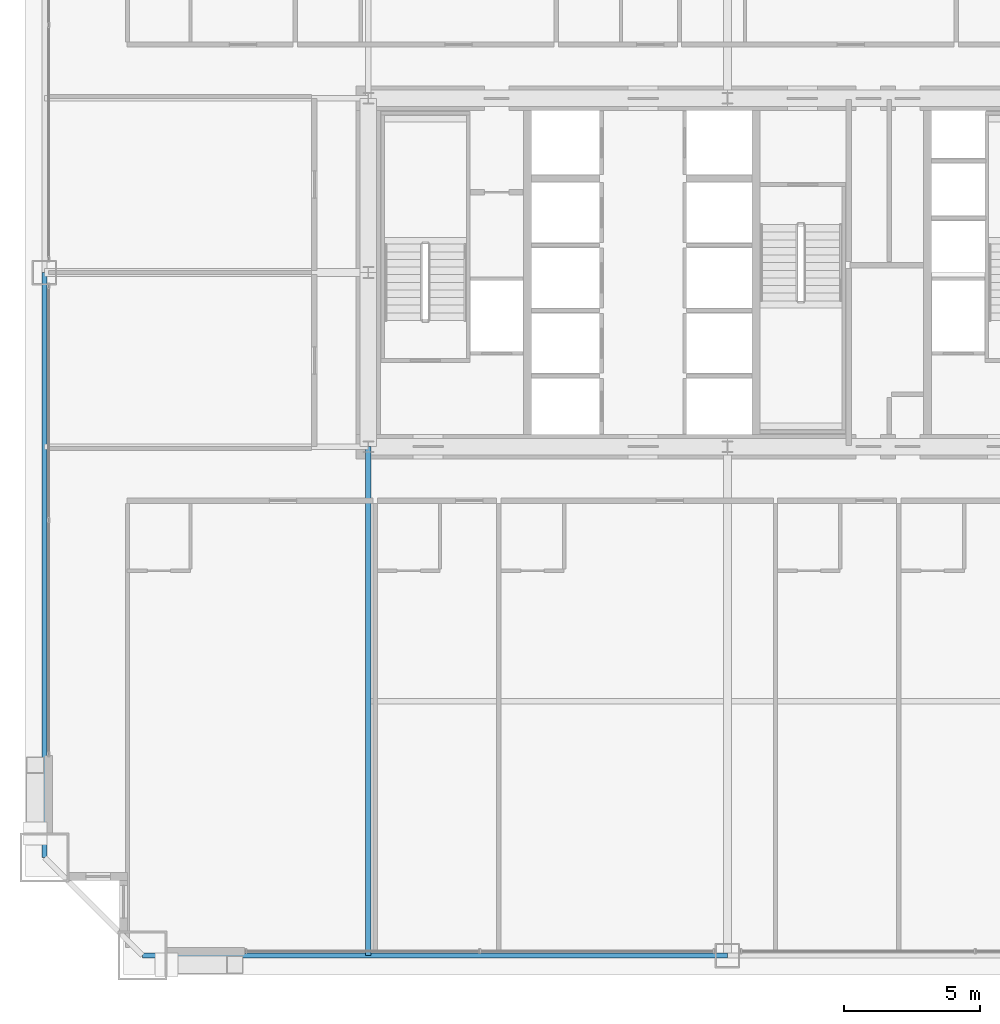
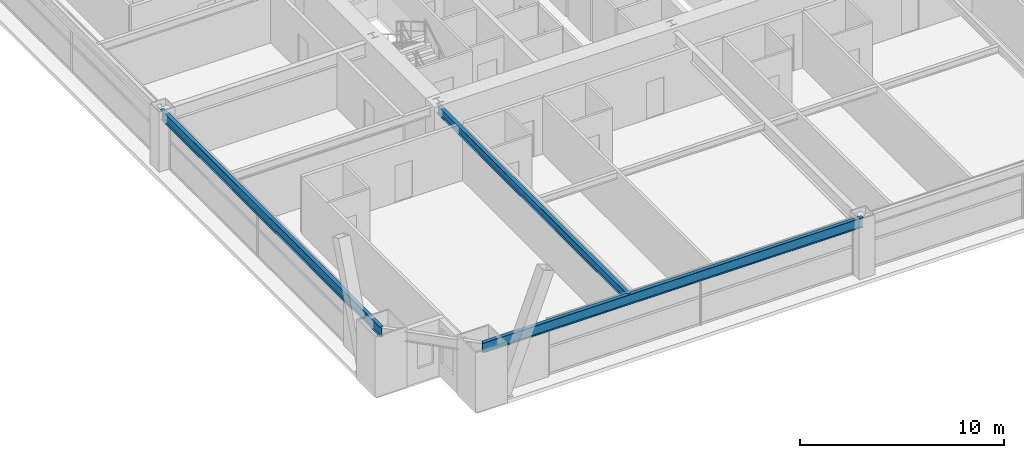
# One storey, part 4 of 43: 3 beams.
"""IFC4 building model written with IfcOpenShell, lengths in metres."""

from ifc_helpers import new_model, si_unit, direction, frame, origin, origin_2d, place, context, subcontext, project, spatial, i_section, extrude, source, transform, mapped, material, material_profile, profile_set, type_object, element, save


model = new_model("IFC4")

# Units and contexts
model_context = context("Model", 3, precision=1e-05, world=origin(), true_north=direction((0.0, 1.0)))
body_context = subcontext(model_context, "Body", "Model", "MODEL_VIEW")
ifc_project = project(units=[si_unit("LENGTHUNIT", "METRE"), si_unit("AREAUNIT", "SQUARE_METRE"), si_unit("VOLUMEUNIT", "CUBIC_METRE"), si_unit("PLANEANGLEUNIT", "RADIAN"), si_unit("MASSUNIT", "GRAM", prefix="KILO"), si_unit("THERMODYNAMICTEMPERATUREUNIT", "KELVIN"), si_unit("POWERUNIT", "WATT")], contexts=[model_context])

# Site, building, storey
site_placement = place(None, origin())
site = spatial("IfcSite", under=ifc_project, at=site_placement, CompositionType="ELEMENT")
building_placement = place(site_placement, origin())
building = spatial("IfcBuilding", under=site, at=building_placement, Name="Yuzanri Waterfront Tower", CompositionType="ELEMENT")
storey_placement = place(building_placement, frame((0.0, 0.0, 67.60009765625)))
storey = spatial("IfcBuildingStorey", under=building, at=storey_placement, Name="L17", CompositionType="ELEMENT", Elevation=67.60009765625)

# Beams
ifc_material_1 = material(Name="Steel Q355B", Category="steel")
ifc_material_profile_1 = material_profile(ifc_material_1, i_section(OverallWidth=0.199951171875, OverallDepth=0.60009765625, WebThickness=0.010986328125, FlangeThickness=0.01708984375, at=origin_2d()), Name="HN 600x200x11x17")
ifc_profile_set_1 = profile_set([ifc_material_profile_1], Name="Steel Q355B")
beam_type_1 = type_object("IfcBeamType", Name="Perimeter Spandrel Q355B HN 600x200", PredefinedType="SPANDREL", material=ifc_profile_set_1)
shared_shape_1 = source(origin(), body_context, "Body", "SweptSolid", [
    extrude(i_section(OverallWidth=0.199951171875, OverallDepth=0.60009765625, WebThickness=0.010986328125, FlangeThickness=0.01708984375, at=origin_2d()), origin(), (0.0, 0.0, 1.0), 21.5),
])
for number, where, z_axis, x_axis, name in (
    (1, (15.5, 0.699951171875, 3.079833984375), (1.0, 0.0, 0.0), (0.0, 1.0, 0.0), "L17 Perimeter Spandrel S1-S2"),
    (2, (11.89990234375, 25.800048828125, 3.079833984375), (0.0, -1.0, 0.0), (1.0, 0.0, 0.0), "L17 Perimeter Spandrel W2-W1"),
):
    element("IfcBeam", number, at=place(storey_placement, frame(where, z_axis=z_axis, x_axis=x_axis)), inside=storey, type_object=beam_type_1, Name=name, PredefinedType="SPANDREL", context=body_context, shape_type="MappedRepresentation", body=[
        mapped(shared_shape_1, transform((0.0, 0.0, 0.0), scale=1.0)),
    ])
ifc_material_2 = material(Name="Steel Q355B", Category="steel")
ifc_material_profile_2 = material_profile(ifc_material_2, i_section(OverallWidth=0.199951171875, OverallDepth=0.5, WebThickness=0.010009765625, FlangeThickness=0.01611328125, at=origin_2d()), Name="HN 500x200x10x16")
ifc_profile_set_2 = profile_set([ifc_material_profile_2], Name="Steel Q355B")
beam_type_2 = type_object("IfcBeamType", Name="Secondary Floor Beam Q355B HN 500x200", PredefinedType="BEAM", material=ifc_profile_set_2)
shared_shape_2 = source(origin(), body_context, "Body", "SweptSolid", [
    extrude(i_section(OverallWidth=0.199951171875, OverallDepth=0.5, WebThickness=0.010009765625, FlangeThickness=0.01611328125, at=origin_2d()), origin(), (0.0, 0.0, 1.0), 18.699951171875),
])
beam_placement = place(storey_placement, frame((23.800048828125, 19.39990234375, 3.1298828125), z_axis=(0.0, -1.0, 0.0), x_axis=(1.0, 0.0, 0.0)))
element("IfcBeam", 3, at=beam_placement, inside=storey, type_object=beam_type_2, Name="L17 South-West Core Line Beam", PredefinedType="BEAM", context=body_context, shape_type="MappedRepresentation", body=[
    mapped(shared_shape_2, transform((0.0, 0.0, 0.0), scale=1.0)),
])

save(model, "model.ifc")
